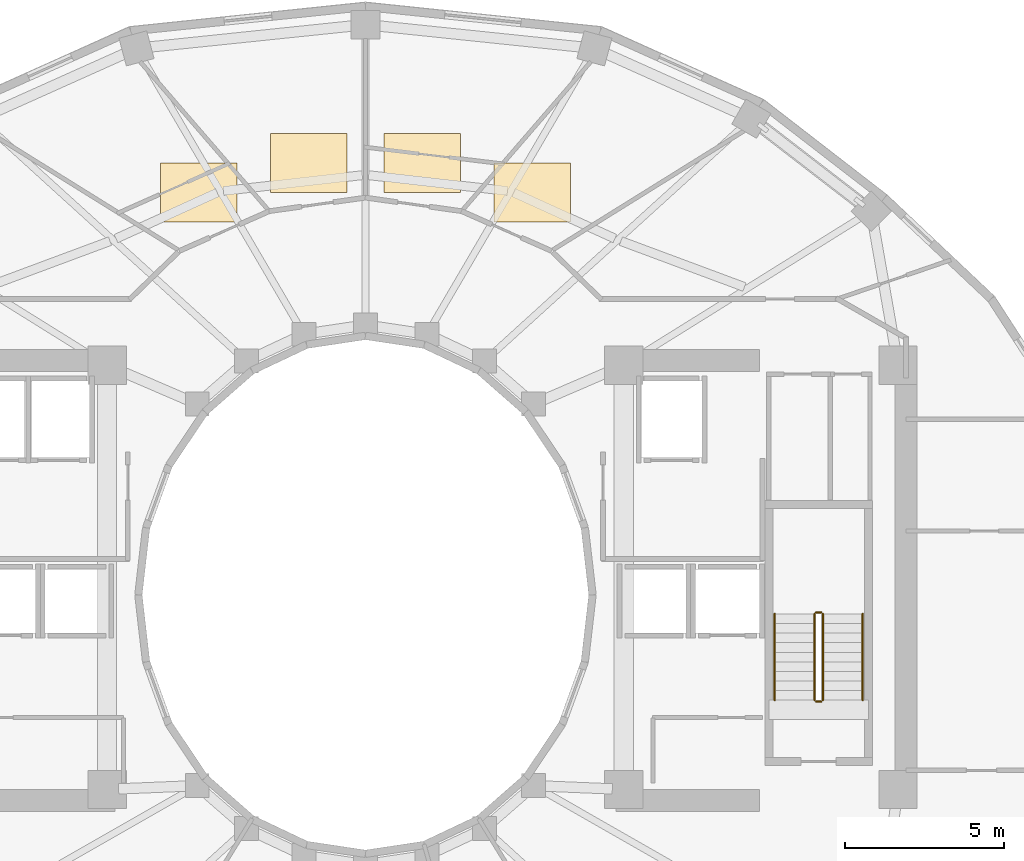
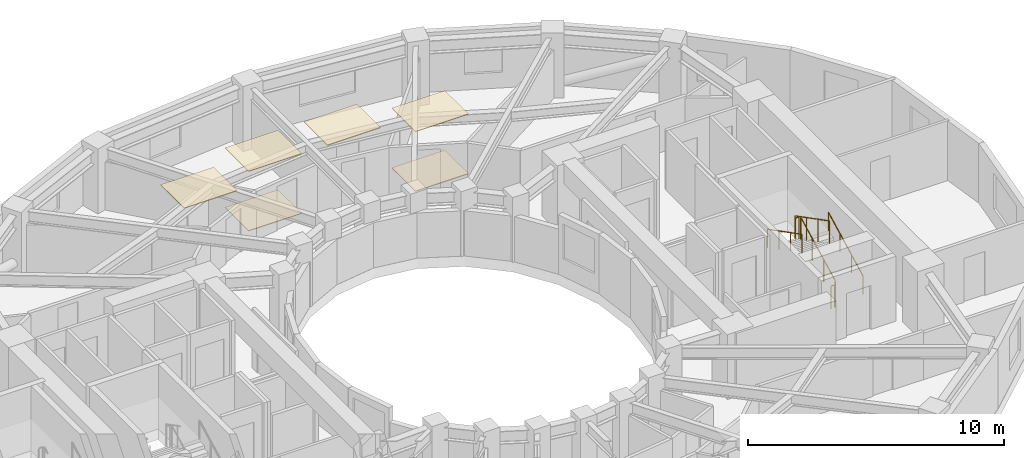
# One storey, part 9 of 9: 6 coverings, 6 railings.
"""IFC4 building model written with IfcOpenShell, lengths in metres."""

from ifc_helpers import new_model, si_unit, direction, frame, origin, origin_2d, place, context, subcontext, project, spatial, polyline, circle, outline, extrude, material, layer, layer_set, type_object, element, save


model = new_model("IFC4")

# Units and contexts
model_context = context("Model", 3, precision=1e-05, world=origin(), true_north=direction((0.0, 1.0)))
body_context = subcontext(model_context, "Body", "Model", "MODEL_VIEW")
ifc_project = project(units=[si_unit("LENGTHUNIT", "METRE"), si_unit("AREAUNIT", "SQUARE_METRE"), si_unit("VOLUMEUNIT", "CUBIC_METRE"), si_unit("PLANEANGLEUNIT", "RADIAN"), si_unit("MASSUNIT", "GRAM", prefix="KILO")], contexts=[model_context])

# Site, building, storey
site_placement = place(None, origin())
site = spatial("IfcSite", under=ifc_project, at=site_placement, CompositionType="ELEMENT")
building_placement = place(site_placement, origin())
building = spatial("IfcBuilding", under=site, at=building_placement, Name="Solvane Sanctuary Tower", CompositionType="ELEMENT")
storey_placement = place(building_placement, frame((0.0, 0.0, 143.60009765625)))
storey = spatial("IfcBuildingStorey", under=building, at=storey_placement, Name="L43", CompositionType="ELEMENT", Elevation=143.60009765625)

# Coverings
ifc_material_1 = material(Name="Acoustic Gypsum Partition Board")
ifc_layer_1 = layer(ifc_material_1, 0.02490234375, Name="Acoustic Gypsum Partition Board")
ifc_layer_set_1 = layer_set([ifc_layer_1], Name="Acoustic Gypsum Partition Board")
covering_type_1 = type_object("IfcCoveringType", Name="Covering CLG-ACOUST", PredefinedType="CEILING", material=ifc_layer_set_1)
covering_1_placement = place(storey_placement, frame((0.0, 0.0, 2.849853515625)))
element("IfcCovering", 1, at=covering_1_placement, inside=storey, type_object=covering_type_1, Name="L43 Unit Acoustic Ceiling Panel 1", PredefinedType="CEILING", context=body_context, shape_type="SweptSolid", body=[
    extrude(outline(polyline([(36.02392578125, 34.68603515625), (38.424072265625, 34.68603515625), (38.424072265625, 36.535888671875), (36.02392578125, 36.535888671875), (36.02392578125, 34.68603515625)])), origin(), (0.0, 0.0, 1.0), 0.030029296875),
])
covering_2_placement = place(storey_placement, frame((0.0, 0.0, 2.849853515625)))
element("IfcCovering", 2, at=covering_2_placement, inside=storey, type_object=covering_type_1, Name="L43 Unit Acoustic Ceiling Panel 2", PredefinedType="CEILING", context=body_context, shape_type="SweptSolid", body=[
    extrude(outline(polyline([(32.58203125, 35.60791015625), (34.98193359375, 35.60791015625), (34.98193359375, 37.4580078125), (32.58203125, 37.4580078125), (32.58203125, 35.60791015625)])), origin(), (0.0, 0.0, 1.0), 0.030029296875),
])
covering_3_placement = place(storey_placement, frame((0.0, 0.0, 2.849853515625)))
element("IfcCovering", 3, at=covering_3_placement, inside=storey, type_object=covering_type_1, Name="L43 Unit Acoustic Ceiling Panel 3", PredefinedType="CEILING", context=body_context, shape_type="SweptSolid", body=[
    extrude(outline(polyline([(29.01806640625, 35.60791015625), (31.41796875, 35.60791015625), (31.41796875, 37.4580078125), (29.01806640625, 37.4580078125), (29.01806640625, 35.60791015625)])), origin(), (0.0, 0.0, 1.0), 0.030029296875),
])
covering_4_placement = place(storey_placement, frame((0.0, 0.0, 2.849853515625)))
element("IfcCovering", 4, at=covering_4_placement, inside=storey, type_object=covering_type_1, Name="L43 Unit Acoustic Ceiling Panel 4", PredefinedType="CEILING", context=body_context, shape_type="SweptSolid", body=[
    extrude(outline(polyline([(25.575927734375, 34.68603515625), (27.97607421875, 34.68603515625), (27.97607421875, 36.535888671875), (25.575927734375, 36.535888671875), (25.575927734375, 34.68603515625)])), origin(), (0.0, 0.0, 1.0), 0.030029296875),
])
ifc_material_2 = material(Name="Ceramic Tile Finish")
ifc_layer_2 = layer(ifc_material_2, 0.030029296875, Name="Ceramic Tile Finish")
ifc_layer_set_2 = layer_set([ifc_layer_2], Name="Ceramic Tile Finish")
covering_type_2 = type_object("IfcCoveringType", Name="Covering FLR-TERRAZZO", PredefinedType="FLOORING", material=ifc_layer_set_2)
covering_5_placement = place(storey_placement, origin())
element("IfcCovering", 5, at=covering_5_placement, inside=storey, type_object=covering_type_2, Name="L43 Unit Terrazzo Inlay 1", PredefinedType="FLOORING", context=body_context, shape_type="SweptSolid", body=[
    extrude(outline(polyline([(36.02392578125, 34.68603515625), (38.424072265625, 34.68603515625), (38.424072265625, 36.535888671875), (36.02392578125, 36.535888671875), (36.02392578125, 34.68603515625)])), origin(), (0.0, 0.0, 1.0), 0.034912109375),
])
covering_6_placement = place(storey_placement, origin())
element("IfcCovering", 6, at=covering_6_placement, inside=storey, type_object=covering_type_2, Name="L43 Unit Terrazzo Inlay 3", PredefinedType="FLOORING", context=body_context, shape_type="SweptSolid", body=[
    extrude(outline(polyline([(29.01806640625, 35.60791015625), (31.41796875, 35.60791015625), (31.41796875, 37.4580078125), (29.01806640625, 37.4580078125), (29.01806640625, 35.60791015625)])), origin(), (0.0, 0.0, 1.0), 0.034912109375),
])

# Railings
ifc_material_3 = material(Name="Architectural Stainless Steel 316", Category="steel")
railing_type_1 = type_object("IfcRailingType", Name="Railing GR-BALC-1150", PredefinedType="BALUSTRADE", material=ifc_material_3)
railing_1_placement = place(storey_placement, frame((46.340087890625, 19.699951171875, 0.15478515625)))
element("IfcRailing", 7, at=railing_1_placement, inside=storey, type_object=railing_type_1, Name="L43 ST-2 stair guard 1", PredefinedType="BALUSTRADE", context=body_context, shape_type="SweptSolid", body=[
    extrude(circle(Radius=0.02392578125, at=origin_2d()), frame((0.0, 0.0, 1.076171875), z_axis=(0.0, 0.888419900624, 0.459031676658), x_axis=(-1.0, 0.0, 0.0)), (0.0, 0.0, 1.0), 3.0390625),
    extrude(circle(Radius=0.02099609375, at=origin_2d()), origin(), (0.0, 0.0, 1.0), 1.052001953125),
    extrude(circle(Radius=0.02099609375, at=origin_2d()), frame((0.0, 0.89990234375, 0.465087890625)), (0.0, 0.0, 1.0), 1.052001953125),
    extrude(circle(Radius=0.02099609375, at=origin_2d()), frame((0.0, 1.800048828125, 0.929931640625)), (0.0, 0.0, 1.0), 1.052001953125),
    extrude(circle(Radius=0.02099609375, at=origin_2d()), frame((0.0, 2.699951171875, 1.39501953125)), (0.0, 0.0, 1.0), 1.052001953125),
])
railing_2_placement = place(storey_placement, frame((46.2900390625, 22.449951171875, 1.5498046875)))
element("IfcRailing", 8, at=railing_2_placement, inside=storey, type_object=railing_type_1, Name="L43 ST-2 stair guard 2", PredefinedType="BALUSTRADE", context=body_context, shape_type="SweptSolid", body=[
    extrude(circle(Radius=0.02392578125, at=origin_2d()), frame((0.0, 0.0, 1.076171875), z_axis=(-1.0, 0.0, 0.0), x_axis=(0.0, -1.0, 0.0)), (0.0, 0.0, 1.0), 0.16015625),
    extrude(circle(Radius=0.02099609375, at=origin_2d()), origin(), (0.0, 0.0, 1.0), 1.052001953125),
    extrude(circle(Radius=0.02099609375, at=origin_2d()), frame((-0.16015625, 0.0, 0.0)), (0.0, 0.0, 1.0), 1.052001953125),
])
railing_3_placement = place(storey_placement, frame((46.080078125, 22.39990234375, 1.704833984375)))
element("IfcRailing", 9, at=railing_3_placement, inside=storey, type_object=railing_type_1, Name="L43 ST-2 stair guard 3", PredefinedType="BALUSTRADE", context=body_context, shape_type="SweptSolid", body=[
    extrude(circle(Radius=0.02392578125, at=origin_2d()), frame((0.0, 0.0, 1.076171875), z_axis=(0.0, -0.888419900624, 0.459031676658), x_axis=(1.0, 0.0, 0.0)), (0.0, 0.0, 1.0), 3.0390625),
    extrude(circle(Radius=0.02099609375, at=origin_2d()), origin(), (0.0, 0.0, 1.0), 1.052001953125),
    extrude(circle(Radius=0.02099609375, at=origin_2d()), frame((0.0, -0.89990234375, 0.465087890625)), (0.0, 0.0, 1.0), 1.052001953125),
    extrude(circle(Radius=0.02099609375, at=origin_2d()), frame((0.0, -1.800048828125, 0.929931640625)), (0.0, 0.0, 1.0), 1.052001953125),
    extrude(circle(Radius=0.02099609375, at=origin_2d()), frame((0.0, -2.699951171875, 1.39501953125)), (0.0, 0.0, 1.0), 1.052001953125),
])
railing_4_placement = place(storey_placement, frame((46.2900390625, 19.64990234375, 0.0)))
element("IfcRailing", 10, at=railing_4_placement, inside=storey, type_object=railing_type_1, Name="L43 ST-2 stair guard 4", PredefinedType="BALUSTRADE", context=body_context, shape_type="SweptSolid", body=[
    extrude(circle(Radius=0.02392578125, at=origin_2d()), frame((0.0, 0.0, 1.076171875), z_axis=(-1.0, 0.0, 0.0), x_axis=(0.0, -1.0, 0.0)), (0.0, 0.0, 1.0), 0.16015625),
    extrude(circle(Radius=0.02099609375, at=origin_2d()), origin(), (0.0, 0.0, 1.0), 1.052001953125),
    extrude(circle(Radius=0.02099609375, at=origin_2d()), frame((-0.16015625, 0.0, 0.0)), (0.0, 0.0, 1.0), 1.052001953125),
])
railing_type_2 = type_object("IfcRailingType", Name="Railing HR-STAIR-920", PredefinedType="HANDRAIL", material=ifc_material_3)
railing_5_placement = place(storey_placement, frame((47.590087890625, 19.699951171875, 0.15478515625)))
element("IfcRailing", 11, at=railing_5_placement, inside=storey, type_object=railing_type_2, Name="L43 ST-2 stair handrail 1", PredefinedType="HANDRAIL", context=body_context, shape_type="SweptSolid", body=[
    extrude(circle(Radius=0.02392578125, at=origin_2d()), frame((0.0, 0.0, 0.8759765625), z_axis=(0.0, 0.888419900624, 0.459031676658), x_axis=(-1.0, 0.0, 0.0)), (0.0, 0.0, 1.0), 3.0390625),
    extrude(circle(Radius=0.02099609375, at=origin_2d()), origin(), (0.0, 0.0, 1.0), 0.851806640625),
    extrude(circle(Radius=0.02099609375, at=origin_2d()), frame((0.0, 0.89990234375, 0.465087890625)), (0.0, 0.0, 1.0), 0.851806640625),
    extrude(circle(Radius=0.02099609375, at=origin_2d()), frame((0.0, 1.800048828125, 0.929931640625)), (0.0, 0.0, 1.0), 0.851806640625),
    extrude(circle(Radius=0.02099609375, at=origin_2d()), frame((0.0, 2.699951171875, 1.39501953125)), (0.0, 0.0, 1.0), 0.851806640625),
])
railing_6_placement = place(storey_placement, frame((44.830078125, 22.39990234375, 1.704833984375)))
element("IfcRailing", 12, at=railing_6_placement, inside=storey, type_object=railing_type_2, Name="L43 ST-2 stair handrail 2", PredefinedType="HANDRAIL", context=body_context, shape_type="SweptSolid", body=[
    extrude(circle(Radius=0.02392578125, at=origin_2d()), frame((0.0, 0.0, 0.8759765625), z_axis=(0.0, -0.888419900624, 0.459031676658), x_axis=(1.0, 0.0, 0.0)), (0.0, 0.0, 1.0), 3.0390625),
    extrude(circle(Radius=0.02099609375, at=origin_2d()), origin(), (0.0, 0.0, 1.0), 0.851806640625),
    extrude(circle(Radius=0.02099609375, at=origin_2d()), frame((0.0, -0.89990234375, 0.465087890625)), (0.0, 0.0, 1.0), 0.851806640625),
    extrude(circle(Radius=0.02099609375, at=origin_2d()), frame((0.0, -1.800048828125, 0.929931640625)), (0.0, 0.0, 1.0), 0.851806640625),
    extrude(circle(Radius=0.02099609375, at=origin_2d()), frame((0.0, -2.699951171875, 1.39501953125)), (0.0, 0.0, 1.0), 0.851806640625),
])

save(model, "model.ifc")
